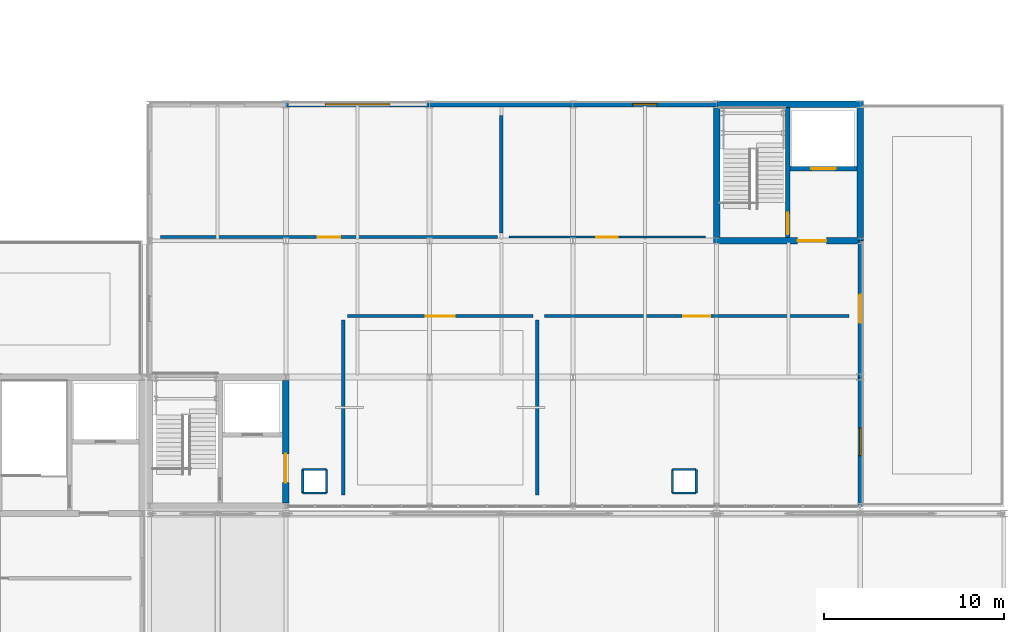
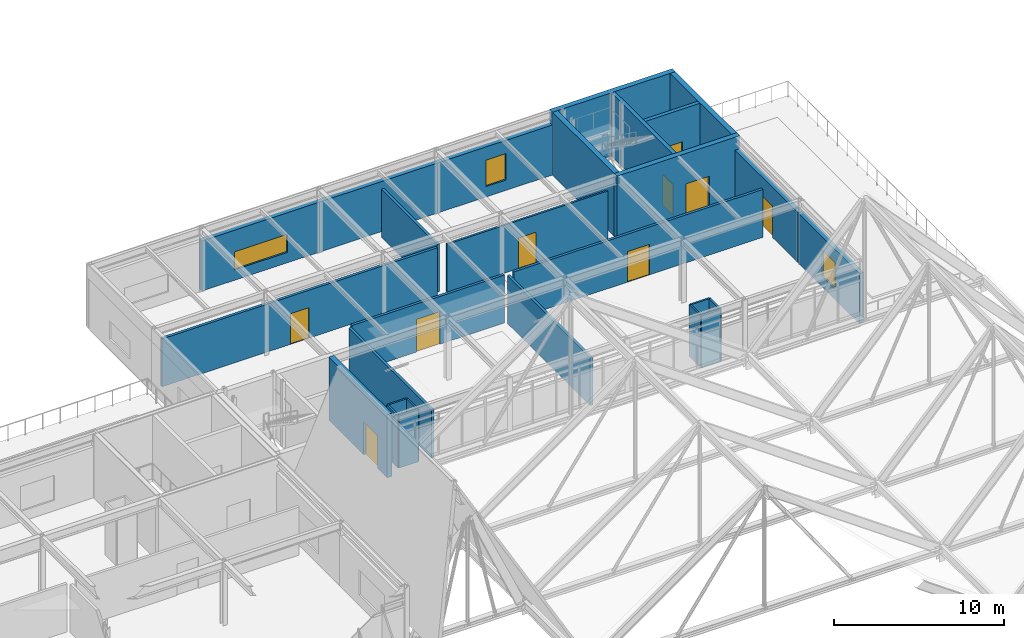
# One storey, part 88 of 100: 27 walls, 9 doors, 3 windows, 12 openings.
"""IFC4 building model written with IfcOpenShell, lengths in metres."""

from ifc_helpers import new_model, si_unit, direction, frame, frame_2d, origin, place, context, subcontext, project, spatial, rectangle, extrude, material, layer, layer_set, type_object, element, fill, save


model = new_model("IFC4")

# Units and contexts
model_context = context("Model", 3, precision=1e-05, world=origin(), true_north=direction((0.0, 1.0)))
body_context = subcontext(model_context, "Body", "Model", "MODEL_VIEW")
ifc_project = project(units=[si_unit("LENGTHUNIT", "METRE"), si_unit("AREAUNIT", "SQUARE_METRE"), si_unit("VOLUMEUNIT", "CUBIC_METRE"), si_unit("PLANEANGLEUNIT", "RADIAN"), si_unit("MASSUNIT", "GRAM", prefix="KILO")], contexts=[model_context])

# Site, building, storey
site_placement = place(None, origin())
site = spatial("IfcSite", under=ifc_project, at=site_placement, CompositionType="ELEMENT")
building_placement = place(site_placement, origin())
building = spatial("IfcBuilding", under=site, at=building_placement, Name="Zulena Civic Courthouse", CompositionType="ELEMENT")
storey_placement = place(building_placement, frame((0.0, 0.0, 20.39990234375)))
storey = spatial("IfcBuildingStorey", under=building, at=storey_placement, Name="L04", CompositionType="ELEMENT", Elevation=20.39990234375)

# Wall, opening, door
ifc_material_1 = material(Name="Concrete C40/50", Category="concrete")
ifc_layer_1 = layer(ifc_material_1, 0.25)
ifc_layer_set_1 = layer_set([ifc_layer_1], Name="Concrete C40/50")
wall_type_1 = type_object("IfcWallType", Name="CoreShearWall_RC250", PredefinedType="SHEAR", material=ifc_layer_set_1)
wall_1_placement = place(storey_placement, frame((159.949951171875, 45.77490234375, 0.0), z_axis=(0.0, 0.0, 1.0), x_axis=(0.0, 1.0, 0.0)))
wall_1 = element("IfcWall", 1, at=wall_1_placement, inside=storey, type_object=wall_type_1, Name="cwall:K3B:L04:DIV", PredefinedType="SHEAR", context=body_context, shape_type="SweptSolid", body=[
    extrude(rectangle(XDim=7.25, YDim=0.25, at=frame_2d((3.625, 0.0))), origin(), (0.0, 0.0, 1.0), 4.545166015625),
])
opening_1_placement = place(wall_1_placement, frame((0.179931640625, 0.0, 0.0)))
opening_1 = element("IfcOpeningElement", 2, at=opening_1_placement, cuts=wall_1, Name="Opening ID07", PredefinedType="OPENING", context=body_context, shape_type="SweptSolid", body=[
    extrude(rectangle(XDim=1.199951171875, YDim=2.199951171875, at=frame_2d((0.60009765625, 1.10009765625))), frame((0.0, 0.135009765625, 0.0), z_axis=(0.0, -1.0, 0.0), x_axis=(1.0, 0.0, 0.0)), (0.0, 0.0, 1.0), 0.27001953125),
])
ifc_material_2 = material(Name="Fire-rated galvanised steel ASTM A653 Grade 50", Category="steel")
door_type_1 = type_object("IfcDoorType", Name="IntDoor_Stair_1200x2200", OperationType="NOTDEFINED", PredefinedType="DOOR", material=ifc_material_2)
door_1_placement = place(opening_1_placement, origin())
door_1 = element("IfcDoor", 3, at=door_1_placement, inside=storey, type_object=door_type_1, Name="door:stair:K3B:L04", OperationType="SINGLE_SWING_LEFT", OverallHeight=2.199951171875, OverallWidth=1.199951171875, PredefinedType="DOOR", context=body_context, shape_type="SweptSolid", body=[
    extrude(rectangle(XDim=1.199951171875, YDim=2.199951171875, at=frame_2d((0.60009765625, 1.10009765625))), frame((0.0, 0.02490234375, 0.0), z_axis=(0.0, -1.0, 0.0), x_axis=(1.0, 0.0, 0.0)), (0.0, 0.0, 1.0), 0.050048828125),
])
fill(opening_1, door_1)

wall_2_placement = place(storey_placement, frame((160.074951171875, 49.60009765625, 0.0), z_axis=(0.0, 0.0, 1.0), x_axis=(1.0, 0.0, 0.0)))
wall_2 = element("IfcWall", 4, at=wall_2_placement, inside=storey, type_object=wall_type_1, Name="cwall:K3B:L04:SHF", PredefinedType="SHEAR", context=body_context, shape_type="SweptSolid", body=[
    extrude(rectangle(XDim=3.75, YDim=0.25, at=frame_2d((1.875, 0.0))), origin(), (0.0, 0.0, 1.0), 4.545166015625),
])
opening_2_placement = place(wall_2_placement, frame((1.195068359375, 0.0, 0.0)))
opening_2 = element("IfcOpeningElement", 5, at=opening_2_placement, cuts=wall_2, Name="Opening LD04", PredefinedType="OPENING", context=body_context, shape_type="SweptSolid", body=[
    extrude(rectangle(XDim=1.35009765625, YDim=2.199951171875, at=frame_2d((0.675048828125, 1.10009765625))), frame((0.0, 0.135009765625, 0.0), z_axis=(0.0, -1.0, 0.0), x_axis=(1.0, 0.0, 0.0)), (0.0, 0.0, 1.0), 0.27001953125),
])
door_type_2 = type_object("IfcDoorType", Name="LiftLandingDoor_Goods_1350x2300", OperationType="DOUBLE_DOOR_SLIDING", PredefinedType="DOOR", material=ifc_material_2)
door_2_placement = place(opening_2_placement, origin())
door_2 = element("IfcDoor", 6, at=door_2_placement, inside=storey, type_object=door_type_2, Name="door:ld:GL-01:L04", OperationType="DOUBLE_DOOR_SLIDING", OverallHeight=2.199951171875, OverallWidth=1.35009765625, PredefinedType="DOOR", context=body_context, shape_type="SweptSolid", body=[
    extrude(rectangle(XDim=1.35009765625, YDim=2.199951171875, at=frame_2d((0.675048828125, 1.10009765625))), frame((0.0, 0.02490234375, 0.0), z_axis=(0.0, -1.0, 0.0), x_axis=(1.0, 0.0, 0.0)), (0.0, 0.0, 1.0), 0.050048828125),
])
fill(opening_2, door_2)

ifc_layer_2 = layer(ifc_material_1, 0.35009765625)
ifc_layer_set_2 = layer_set([ifc_layer_2], Name="Concrete C40/50")
wall_type_2 = type_object("IfcWallType", Name="CoreShearWall_RC350", PredefinedType="SHEAR", material=ifc_layer_set_2)
wall_3_placement = place(storey_placement, frame((132.0, 30.97509765625, 0.0), z_axis=(0.0, 0.0, 1.0), x_axis=(0.0, 1.0, 0.0)))
wall_3 = element("IfcWall", 7, at=wall_3_placement, inside=storey, type_object=wall_type_2, Name="cwall:K3A:L04:E", PredefinedType="SHEAR", context=body_context, shape_type="SweptSolid", body=[
    extrude(rectangle(XDim=6.849853515625, YDim=0.35009765625, at=frame_2d((3.4248046875, 0.0))), origin(), (0.0, 0.0, 1.0), 4.545166015625),
])
opening_3_placement = place(wall_3_placement, frame((1.14990234375, 0.0, 0.0)))
opening_3 = element("IfcOpeningElement", 8, at=opening_3_placement, cuts=wall_3, Name="Opening ID04", PredefinedType="OPENING", context=body_context, shape_type="SweptSolid", body=[
    extrude(rectangle(XDim=1.60009765625, YDim=2.35009765625, at=frame_2d((0.800048828125, 1.175048828125))), frame((0.0, 0.18505859375, 0.0), z_axis=(0.0, -1.0, 0.0), x_axis=(1.0, 0.0, 0.0)), (0.0, 0.0, 1.0), 0.3701171875),
])
ifc_material_3 = material(Name="Solid-core acoustic hardwood timber", Category="wood")
door_type_3 = type_object("IfcDoorType", Name="IntDoor_CourtPublic_1600x2350", OperationType="DOUBLE_DOOR_SINGLE_SWING", PredefinedType="DOOR", material=ifc_material_3)
door_3_placement = place(opening_3_placement, origin())
door_3 = element("IfcDoor", 9, at=door_3_placement, inside=storey, type_object=door_type_3, Name="door:corelob:K3A:L04", OperationType="DOUBLE_DOOR_SINGLE_SWING", OverallHeight=2.35009765625, OverallWidth=1.60009765625, PredefinedType="DOOR", context=body_context, shape_type="SweptSolid", body=[
    extrude(rectangle(XDim=1.60009765625, YDim=2.35009765625, at=frame_2d((0.800048828125, 1.175048828125))), frame((0.0, 0.02490234375, 0.0), z_axis=(0.0, -1.0, 0.0), x_axis=(1.0, 0.0, 0.0)), (0.0, 0.0, 1.0), 0.050048828125),
])
fill(opening_3, door_3)

wall_4_placement = place(storey_placement, frame((155.824951171875, 45.60009765625, 0.0), z_axis=(0.0, 0.0, 1.0), x_axis=(1.0, 0.0, 0.0)))
wall_4 = element("IfcWall", 10, at=wall_4_placement, inside=storey, type_object=wall_type_2, Name="cwall:K3B:L04:S", PredefinedType="SHEAR", context=body_context, shape_type="SweptSolid", body=[
    extrude(rectangle(XDim=8.35009765625, YDim=0.35009765625, at=frame_2d((4.175048828125, 0.0))), origin(), (0.0, 0.0, 1.0), 4.545166015625),
])
opening_4_placement = place(wall_4_placement, frame((4.68505859375, 0.0, 0.0)))
opening_4 = element("IfcOpeningElement", 11, at=opening_4_placement, cuts=wall_4, Name="Opening ID04", PredefinedType="OPENING", context=body_context, shape_type="SweptSolid", body=[
    extrude(rectangle(XDim=1.60009765625, YDim=2.35009765625, at=frame_2d((0.800048828125, 1.175048828125))), frame((0.0, 0.18505859375, 0.0), z_axis=(0.0, -1.0, 0.0), x_axis=(1.0, 0.0, 0.0)), (0.0, 0.0, 1.0), 0.3701171875),
])
door_4_placement = place(opening_4_placement, origin())
door_4 = element("IfcDoor", 12, at=door_4_placement, inside=storey, type_object=door_type_3, Name="door:corelob:K3B:L04", OperationType="DOUBLE_DOOR_SINGLE_SWING", OverallHeight=2.35009765625, OverallWidth=1.60009765625, PredefinedType="DOOR", context=body_context, shape_type="SweptSolid", body=[
    extrude(rectangle(XDim=1.60009765625, YDim=2.35009765625, at=frame_2d((0.800048828125, 1.175048828125))), frame((0.0, 0.02490234375, 0.0), z_axis=(0.0, -1.0, 0.0), x_axis=(1.0, 0.0, 0.0)), (0.0, 0.0, 1.0), 0.050048828125),
])
fill(opening_4, door_4)

# Walls
wall_5_placement = place(storey_placement, frame((155.824951171875, 53.199951171875, 0.0), z_axis=(0.0, 0.0, 1.0), x_axis=(1.0, 0.0, 0.0)))
element("IfcWall", 13, at=wall_5_placement, inside=storey, type_object=wall_type_2, Name="cwall:K3B:L04:N", PredefinedType="SHEAR", context=body_context, shape_type="SweptSolid", body=[
    extrude(rectangle(XDim=8.35009765625, YDim=0.35009765625, at=frame_2d((4.175048828125, 0.0))), origin(), (0.0, 0.0, 1.0), 4.545166015625),
])
for number, where, z_axis, x_axis, name in (
    (14, (156.0, 45.77490234375, 0.0), (0.0, 0.0, 1.0), (0.0, 1.0, 0.0), "cwall:K3B:L04:W"),
    (15, (164.0, 45.77490234375, 0.0), (0.0, 0.0, 1.0), (0.0, 1.0, 0.0), "cwall:K3B:L04:E"),
):
    element("IfcWall", number, at=place(storey_placement, frame(where, z_axis=z_axis, x_axis=x_axis)), inside=storey, type_object=wall_type_2, Name=name, PredefinedType="SHEAR", context=body_context, shape_type="SweptSolid", body=[
        extrude(rectangle(XDim=7.25, YDim=0.35009765625, at=frame_2d((3.625, 0.0))), origin(), (0.0, 0.0, 1.0), 4.545166015625),
    ])

# Wall, opening, window
ifc_material_4 = material(Name="Travertine-cream architectural precast concrete C40/50", Category="masonry")
ifc_layer_3 = layer(ifc_material_4, 0.280029296875)
ifc_layer_set_3 = layer_set([ifc_layer_3], Name="Travertine-cream architectural precast concrete C40/50")
wall_type_3 = type_object("IfcWallType", Name="ExtWall_TravPrecast_280", PredefinedType="STANDARD", material=ifc_layer_set_3)
wall_6_placement = place(storey_placement, frame((131.97998046875, 53.199951171875, 0.0), z_axis=(0.0, 0.0, 1.0), x_axis=(1.0, 0.0, 0.0)))
wall_6 = element("IfcWall", 16, at=wall_6_placement, inside=storey, type_object=wall_type_3, Name="ewall:V3:L04:1:1", PredefinedType="STANDARD", context=body_context, shape_type="SweptSolid", body=[
    extrude(rectangle(XDim=8.0400390625, YDim=0.280029296875, at=frame_2d((4.02001953125, 0.0))), origin(), (0.0, 0.0, 1.0), 3.60498046875),
])
opening_5_placement = place(wall_6_placement, frame((2.219970703125, 0.0, 0.75)))
opening_5 = element("IfcOpeningElement", 17, at=opening_5_placement, cuts=wall_6, Name="Opening WN34", PredefinedType="OPENING", context=body_context, shape_type="SweptSolid", body=[
    extrude(rectangle(XDim=3.60009765625, YDim=1.300048828125, at=frame_2d((1.800048828125, 0.64990234375))), frame((0.0, 0.14990234375, 0.0), z_axis=(0.0, -1.0, 0.0), x_axis=(1.0, 0.0, 0.0)), (0.0, 0.0, 1.0), 0.300048828125),
])
ifc_material_5 = material(Name="Double-silver low-E laminated solar-control glass", Category="glass")
window_type_1 = type_object("IfcWindowType", Name="Win_3600x1300", PartitioningType="DOUBLE_PANEL_VERTICAL", PredefinedType="WINDOW", material=ifc_material_5)
window_1_placement = place(opening_5_placement, origin())
window_1 = element("IfcWindow", 18, at=window_1_placement, inside=storey, type_object=window_type_1, Name="win:V3:L04:1:1", OverallHeight=1.300048828125, OverallWidth=3.60009765625, PartitioningType="SINGLE_PANEL", PredefinedType="WINDOW", context=body_context, shape_type="SweptSolid", body=[
    extrude(rectangle(XDim=3.60009765625, YDim=1.300048828125, at=frame_2d((1.800048828125, 0.64990234375))), frame((0.0, 0.030029296875, 0.0), z_axis=(0.0, -1.0, 0.0), x_axis=(1.0, 0.0, 0.0)), (0.0, 0.0, 1.0), 0.06005859375),
])
fill(opening_5, window_1)

# Wall
wall_7_placement = place(storey_placement, frame((139.97998046875, 53.199951171875, 0.0), z_axis=(0.0, 0.0, 1.0), x_axis=(1.0, 0.0, 0.0)))
element("IfcWall", 19, at=wall_7_placement, inside=storey, type_object=wall_type_3, Name="ewall:V3:L04:1:2", PredefinedType="STANDARD", context=body_context, shape_type="SweptSolid", body=[
    extrude(rectangle(XDim=8.0400390625, YDim=0.280029296875, at=frame_2d((4.02001953125, 0.0))), origin(), (0.0, 0.0, 1.0), 3.60498046875),
])

# Wall, opening, window
wall_8_placement = place(storey_placement, frame((147.97998046875, 53.199951171875, 0.0), z_axis=(0.0, 0.0, 1.0), x_axis=(1.0, 0.0, 0.0)))
wall_8 = element("IfcWall", 20, at=wall_8_placement, inside=storey, type_object=wall_type_3, Name="ewall:V3:L04:1:3", PredefinedType="STANDARD", context=body_context, shape_type="SweptSolid", body=[
    extrude(rectangle(XDim=8.0400390625, YDim=0.280029296875, at=frame_2d((4.02001953125, 0.0))), origin(), (0.0, 0.0, 1.0), 3.60498046875),
])
opening_6_placement = place(wall_8_placement, frame((3.344970703125, 0.0, 0.75)))
opening_6 = element("IfcOpeningElement", 21, at=opening_6_placement, cuts=wall_8, Name="Opening WN35", PredefinedType="OPENING", context=body_context, shape_type="SweptSolid", body=[
    extrude(rectangle(XDim=1.35009765625, YDim=1.89990234375, at=frame_2d((0.675048828125, 0.949951171875))), frame((0.0, 0.14990234375, 0.0), z_axis=(0.0, -1.0, 0.0), x_axis=(1.0, 0.0, 0.0)), (0.0, 0.0, 1.0), 0.300048828125),
])
window_type_2 = type_object("IfcWindowType", Name="Win_1350x1900", PartitioningType="SINGLE_PANEL", PredefinedType="WINDOW", material=ifc_material_5)
window_2_placement = place(opening_6_placement, origin())
window_2 = element("IfcWindow", 22, at=window_2_placement, inside=storey, type_object=window_type_2, Name="win:V3:L04:1:3", OverallHeight=1.89990234375, OverallWidth=1.35009765625, PartitioningType="SINGLE_PANEL", PredefinedType="WINDOW", context=body_context, shape_type="SweptSolid", body=[
    extrude(rectangle(XDim=1.35009765625, YDim=1.89990234375, at=frame_2d((0.675048828125, 0.949951171875))), frame((0.0, 0.030029296875, 0.0), z_axis=(0.0, -1.0, 0.0), x_axis=(1.0, 0.0, 0.0)), (0.0, 0.0, 1.0), 0.06005859375),
])
fill(opening_6, window_2)

# Wall, opening, door
wall_9_placement = place(storey_placement, frame((164.0, 45.6201171875, 0.0), z_axis=(0.0, 0.0, 1.0), x_axis=(0.0, -1.0, 0.0)))
wall_9 = element("IfcWall", 23, at=wall_9_placement, inside=storey, type_object=wall_type_3, Name="ewall:V3:L04:2:1", PredefinedType="STANDARD", context=body_context, shape_type="SweptSolid", body=[
    extrude(rectangle(XDim=7.64013671875, YDim=0.280029296875, at=frame_2d((3.820068359375, 0.0))), origin(), (0.0, 0.0, 1.0), 3.60498046875),
])
opening_7_placement = place(wall_9_placement, frame((3.044921875, 0.0, 0.0)))
opening_7 = element("IfcOpeningElement", 24, at=opening_7_placement, cuts=wall_9, Name="Opening TD04", PredefinedType="OPENING", context=body_context, shape_type="SweptSolid", body=[
    extrude(rectangle(XDim=1.550048828125, YDim=2.25, at=frame_2d((0.77490234375, 1.125))), frame((0.0, 0.14990234375, 0.0), z_axis=(0.0, -1.0, 0.0), x_axis=(1.0, 0.0, 0.0)), (0.0, 0.0, 1.0), 0.300048828125),
])
ifc_material_6 = material(Name="Galvanised architectural steel ASTM A653 Grade 50", Category="steel")
door_type_4 = type_object("IfcDoorType", Name="ExtDoor_Terrace_1550x2250", OperationType="DOUBLE_DOOR_SINGLE_SWING", PredefinedType="DOOR", material=ifc_material_6)
door_5_placement = place(opening_7_placement, origin())
door_5 = element("IfcDoor", 25, at=door_5_placement, inside=storey, type_object=door_type_4, Name="door:terrace:TR-V3-L04", OperationType="DOUBLE_DOOR_SINGLE_SWING", OverallHeight=2.25, OverallWidth=1.550048828125, PredefinedType="DOOR", context=body_context, shape_type="SweptSolid", body=[
    extrude(rectangle(XDim=1.550048828125, YDim=2.25, at=frame_2d((0.77490234375, 1.125))), frame((0.0, 0.02490234375, 0.0), z_axis=(0.0, -1.0, 0.0), x_axis=(1.0, 0.0, 0.0)), (0.0, 0.0, 1.0), 0.050048828125),
])
fill(opening_7, door_5)

# Wall, opening, window
wall_10_placement = place(storey_placement, frame((164.0, 38.02001953125, 0.0), z_axis=(0.0, 0.0, 1.0), x_axis=(0.0, -1.0, 0.0)))
wall_10 = element("IfcWall", 26, at=wall_10_placement, inside=storey, type_object=wall_type_3, Name="ewall:V3:L04:2:2", PredefinedType="STANDARD", context=body_context, shape_type="SweptSolid", body=[
    extrude(rectangle(XDim=7.239990234375, YDim=0.280029296875, at=frame_2d((3.6201171875, 0.0))), origin(), (0.0, 0.0, 1.0), 3.60498046875),
])
opening_8_placement = place(wall_10_placement, frame((2.844970703125, 0.0, 0.75)))
opening_8 = element("IfcOpeningElement", 27, at=opening_8_placement, cuts=wall_10, Name="Opening WN36", PredefinedType="OPENING", context=body_context, shape_type="SweptSolid", body=[
    extrude(rectangle(XDim=1.550048828125, YDim=1.89990234375, at=frame_2d((0.77490234375, 0.949951171875))), frame((0.0, 0.14990234375, 0.0), z_axis=(0.0, -1.0, 0.0), x_axis=(1.0, 0.0, 0.0)), (0.0, 0.0, 1.0), 0.300048828125),
])
window_type_3 = type_object("IfcWindowType", Name="Win_1550x1900", PartitioningType="SINGLE_PANEL", PredefinedType="WINDOW", material=ifc_material_5)
window_3_placement = place(opening_8_placement, origin())
window_3 = element("IfcWindow", 28, at=window_3_placement, inside=storey, type_object=window_type_3, Name="win:V3:L04:2:2", OverallHeight=1.89990234375, OverallWidth=1.550048828125, PartitioningType="SINGLE_PANEL", PredefinedType="WINDOW", context=body_context, shape_type="SweptSolid", body=[
    extrude(rectangle(XDim=1.550048828125, YDim=1.89990234375, at=frame_2d((0.77490234375, 0.949951171875))), frame((0.0, 0.030029296875, 0.0), z_axis=(0.0, -1.0, 0.0), x_axis=(1.0, 0.0, 0.0)), (0.0, 0.0, 1.0), 0.06005859375),
])
fill(opening_8, window_3)

# Wall, opening, door
ifc_material_7 = material(Name="Acoustic fire-rated gypsum board assembly", Category="masonry")
ifc_layer_4 = layer(ifc_material_7, 0.177978515625)
ifc_layer_set_4 = layer_set([ifc_layer_4], Name="Acoustic fire-rated gypsum board assembly")
wall_type_4 = type_object("IfcWallType", Name="PartWall_Corridor_178", PredefinedType="PARTITIONING", material=ifc_layer_set_4)
wall_11_placement = place(storey_placement, frame((135.419921875, 41.39990234375, 0.0), z_axis=(0.0, 0.0, 1.0), x_axis=(1.0, 0.0, 0.0)))
wall_11 = element("IfcWall", 29, at=wall_11_placement, inside=storey, type_object=wall_type_4, Name="pwall:L04:279:0", PredefinedType="PARTITIONING", context=body_context, shape_type="SweptSolid", body=[
    extrude(rectangle(XDim=10.360107421875, YDim=0.177978515625, at=frame_2d((5.18017578125, 0.0))), origin(), (0.0, 0.0, 1.0), 3.4501953125),
])
opening_9_placement = place(wall_11_placement, frame((4.3798828125, 0.0, 0.0)))
opening_9 = element("IfcOpeningElement", 30, at=opening_9_placement, cuts=wall_11, Name="Opening ID04", PredefinedType="OPENING", context=body_context, shape_type="SweptSolid", body=[
    extrude(rectangle(XDim=1.60009765625, YDim=2.35009765625, at=frame_2d((0.800048828125, 1.175048828125))), frame((0.0, 0.098876953125, 0.0), z_axis=(0.0, -1.0, 0.0), x_axis=(1.0, 0.0, 0.0)), (0.0, 0.0, 1.0), 0.197998046875),
])
door_6_placement = place(opening_9_placement, origin())
door_6 = element("IfcDoor", 31, at=door_6_placement, inside=storey, type_object=door_type_3, Name="door:rm:L04:279", OperationType="DOUBLE_DOOR_SINGLE_SWING", OverallHeight=2.35009765625, OverallWidth=1.60009765625, PredefinedType="DOOR", context=body_context, shape_type="SweptSolid", body=[
    extrude(rectangle(XDim=1.60009765625, YDim=2.35009765625, at=frame_2d((0.800048828125, 1.175048828125))), frame((0.0, 0.02490234375, 0.0), z_axis=(0.0, -1.0, 0.0), x_axis=(1.0, 0.0, 0.0)), (0.0, 0.0, 1.0), 0.050048828125),
])
fill(opening_9, door_6)

# Walls
for number, where, z_axis, x_axis, name in (
    (32, (146.0, 31.419921875, 0.0), (0.0, 0.0, 1.0), (0.0, 1.0, 0.0), "pwall:L04:279:1"),
    (33, (135.199951171875, 31.419921875, 0.0), (0.0, 0.0, 1.0), (0.0, 1.0, 0.0), "pwall:L04:279:2"),
):
    element("IfcWall", number, at=place(storey_placement, frame(where, z_axis=z_axis, x_axis=x_axis)), inside=storey, type_object=wall_type_4, Name=name, PredefinedType="PARTITIONING", context=body_context, shape_type="SweptSolid", body=[
        extrude(rectangle(XDim=9.760009765625, YDim=0.177978515625, at=frame_2d((4.8798828125, 0.0))), origin(), (0.0, 0.0, 1.0), 3.4501953125),
    ])

# Wall, opening, door
wall_12_placement = place(storey_placement, frame((146.419921875, 41.39990234375, 0.0), z_axis=(0.0, 0.0, 1.0), x_axis=(1.0, 0.0, 0.0)))
wall_12 = element("IfcWall", 34, at=wall_12_placement, inside=storey, type_object=wall_type_4, Name="pwall:L04:280:0", PredefinedType="PARTITIONING", context=body_context, shape_type="SweptSolid", body=[
    extrude(rectangle(XDim=16.9599609375, YDim=0.177978515625, at=frame_2d((8.47998046875, 0.0))), origin(), (0.0, 0.0, 1.0), 3.4501953125),
])
opening_10_placement = place(wall_12_placement, frame((7.72998046875, 0.0, 0.0)))
opening_10 = element("IfcOpeningElement", 35, at=opening_10_placement, cuts=wall_12, Name="Opening ID05", PredefinedType="OPENING", context=body_context, shape_type="SweptSolid", body=[
    extrude(rectangle(XDim=1.5, YDim=2.199951171875, at=frame_2d((0.75, 1.10009765625))), frame((0.0, 0.098876953125, 0.0), z_axis=(0.0, -1.0, 0.0), x_axis=(1.0, 0.0, 0.0)), (0.0, 0.0, 1.0), 0.197998046875),
])
door_type_5 = type_object("IfcDoorType", Name="IntDoor_FFLobby_1500x2200", OperationType="DOUBLE_DOOR_SINGLE_SWING", PredefinedType="DOOR", material=ifc_material_2)
door_7_placement = place(opening_10_placement, origin())
door_7 = element("IfcDoor", 36, at=door_7_placement, inside=storey, type_object=door_type_5, Name="door:rm:L04:280", OperationType="DOUBLE_DOOR_SINGLE_SWING", OverallHeight=2.199951171875, OverallWidth=1.5, PredefinedType="DOOR", context=body_context, shape_type="SweptSolid", body=[
    extrude(rectangle(XDim=1.5, YDim=2.199951171875, at=frame_2d((0.75, 1.10009765625))), frame((0.0, 0.02490234375, 0.0), z_axis=(0.0, -1.0, 0.0), x_axis=(1.0, 0.0, 0.0)), (0.0, 0.0, 1.0), 0.050048828125),
])
fill(opening_10, door_7)

wall_13_placement = place(storey_placement, frame((125.02001953125, 45.800048828125, 0.0), z_axis=(0.0, 0.0, 1.0), x_axis=(1.0, 0.0, 0.0)))
wall_13 = element("IfcWall", 37, at=wall_13_placement, inside=storey, type_object=wall_type_4, Name="pwall:L04:281:0", PredefinedType="PARTITIONING", context=body_context, shape_type="SweptSolid", body=[
    extrude(rectangle(XDim=18.760009765625, YDim=0.177978515625, at=frame_2d((9.3798828125, 0.0))), origin(), (0.0, 0.0, 1.0), 3.4501953125),
])
opening_11_placement = place(wall_13_placement, frame((8.7548828125, 0.0, 0.0)))
opening_11 = element("IfcOpeningElement", 38, at=opening_11_placement, cuts=wall_13, Name="Opening ID06", PredefinedType="OPENING", context=body_context, shape_type="SweptSolid", body=[
    extrude(rectangle(XDim=1.25, YDim=2.199951171875, at=frame_2d((0.625, 1.10009765625))), frame((0.0, 0.098876953125, 0.0), z_axis=(0.0, -1.0, 0.0), x_axis=(1.0, 0.0, 0.0)), (0.0, 0.0, 1.0), 0.197998046875),
])
door_type_6 = type_object("IfcDoorType", Name="IntDoor_Stair_1250x2200", OperationType="NOTDEFINED", PredefinedType="DOOR", material=ifc_material_2)
door_8_placement = place(opening_11_placement, origin())
door_8 = element("IfcDoor", 39, at=door_8_placement, inside=storey, type_object=door_type_6, Name="door:rm:L04:281", OperationType="SINGLE_SWING_RIGHT", OverallHeight=2.199951171875, OverallWidth=1.25, PredefinedType="DOOR", context=body_context, shape_type="SweptSolid", body=[
    extrude(rectangle(XDim=1.25, YDim=2.199951171875, at=frame_2d((0.625, 1.10009765625))), frame((0.0, 0.02490234375, 0.0), z_axis=(0.0, -1.0, 0.0), x_axis=(1.0, 0.0, 0.0)), (0.0, 0.0, 1.0), 0.050048828125),
])
fill(opening_11, door_8)

# Walls
wall_14_placement = place(storey_placement, frame((144.0, 46.02001953125, 0.0), z_axis=(0.0, 0.0, 1.0), x_axis=(0.0, 1.0, 0.0)))
element("IfcWall", 40, at=wall_14_placement, inside=storey, type_object=wall_type_4, Name="pwall:L04:281:1", PredefinedType="PARTITIONING", context=body_context, shape_type="SweptSolid", body=[
    extrude(rectangle(XDim=6.56005859375, YDim=0.177978515625, at=frame_2d((3.280029296875, 0.0))), origin(), (0.0, 0.0, 1.0), 3.4501953125),
])
ifc_material_8 = material(Name="Insulated blockwork masonry ASTM C90", Category="masonry")
ifc_layer_5 = layer(ifc_material_8, 0.114990234375)
ifc_layer_set_5 = layer_set([ifc_layer_5], Name="Insulated blockwork masonry ASTM C90")
wall_type_5 = type_object("IfcWallType", Name="PartWall_Riser_115", PredefinedType="PARTITIONING", material=ifc_layer_set_5)
for number, where, z_axis, x_axis, name in (
    (41, (132.93994140625, 31.5400390625, 0.0), (0.0, 0.0, 1.0), (1.0, 0.0, 0.0), "riser:RS-V3W:L04:0"),
    (42, (134.260009765625, 31.5400390625, 0.0), (0.0, 0.0, 1.0), (0.0, 1.0, 0.0), "riser:RS-V3W:L04:1"),
    (43, (134.260009765625, 32.860107421875, 0.0), (0.0, 0.0, 1.0), (-1.0, 0.0, 0.0), "riser:RS-V3W:L04:2"),
    (44, (132.93994140625, 32.860107421875, 0.0), (0.0, 0.0, 1.0), (0.0, -1.0, 0.0), "riser:RS-V3W:L04:3"),
    (45, (153.5400390625, 31.5400390625, 0.0), (0.0, 0.0, 1.0), (1.0, 0.0, 0.0), "riser:RS-V3E:L04:0"),
    (46, (154.860107421875, 31.5400390625, 0.0), (0.0, 0.0, 1.0), (0.0, 1.0, 0.0), "riser:RS-V3E:L04:1"),
    (47, (154.860107421875, 32.860107421875, 0.0), (0.0, 0.0, 1.0), (-1.0, 0.0, 0.0), "riser:RS-V3E:L04:2"),
    (48, (153.5400390625, 32.860107421875, 0.0), (0.0, 0.0, 1.0), (0.0, -1.0, 0.0), "riser:RS-V3E:L04:3"),
):
    element("IfcWall", number, at=place(storey_placement, frame(where, z_axis=z_axis, x_axis=x_axis)), inside=storey, type_object=wall_type_5, Name=name, PredefinedType="PARTITIONING", context=body_context, shape_type="SweptSolid", body=[
        extrude(rectangle(XDim=1.320068359375, YDim=0.114990234375, at=frame_2d((0.66015625, 0.0))), origin(), (0.0, 0.0, 1.0), 3.75),
    ])

# Wall, opening, door
ifc_layer_6 = layer(ifc_material_8, 0.1279296875)
ifc_layer_set_6 = layer_set([ifc_layer_6], Name="Insulated blockwork masonry ASTM C90")
wall_type_6 = type_object("IfcWallType", Name="PartWall_WetRoom_128", PredefinedType="PARTITIONING", material=ifc_layer_set_6)
wall_15_placement = place(storey_placement, frame((144.419921875, 45.800048828125, 0.0), z_axis=(0.0, 0.0, 1.0), x_axis=(1.0, 0.0, 0.0)))
wall_15 = element("IfcWall", 49, at=wall_15_placement, inside=storey, type_object=wall_type_6, Name="pwall:L04:282:0", PredefinedType="PARTITIONING", context=body_context, shape_type="SweptSolid", body=[
    extrude(rectangle(XDim=10.9599609375, YDim=0.1279296875, at=frame_2d((5.47998046875, 0.0))), origin(), (0.0, 0.0, 1.0), 3.4501953125),
])
opening_12_placement = place(wall_15_placement, frame((4.8798828125, 0.0, 0.0)))
opening_12 = element("IfcOpeningElement", 50, at=opening_12_placement, cuts=wall_15, Name="Opening ID07", PredefinedType="OPENING", context=body_context, shape_type="SweptSolid", body=[
    extrude(rectangle(XDim=1.199951171875, YDim=2.199951171875, at=frame_2d((0.60009765625, 1.10009765625))), frame((0.0, 0.073974609375, 0.0), z_axis=(0.0, -1.0, 0.0), x_axis=(1.0, 0.0, 0.0)), (0.0, 0.0, 1.0), 0.14794921875),
])
door_9_placement = place(opening_12_placement, origin())
door_9 = element("IfcDoor", 51, at=door_9_placement, inside=storey, type_object=door_type_1, Name="door:rm:L04:282", OperationType="SINGLE_SWING_LEFT", OverallHeight=2.199951171875, OverallWidth=1.199951171875, PredefinedType="DOOR", context=body_context, shape_type="SweptSolid", body=[
    extrude(rectangle(XDim=1.199951171875, YDim=2.199951171875, at=frame_2d((0.60009765625, 1.10009765625))), frame((0.0, 0.02490234375, 0.0), z_axis=(0.0, -1.0, 0.0), x_axis=(1.0, 0.0, 0.0)), (0.0, 0.0, 1.0), 0.050048828125),
])
fill(opening_12, door_9)

save(model, "model.ifc")
